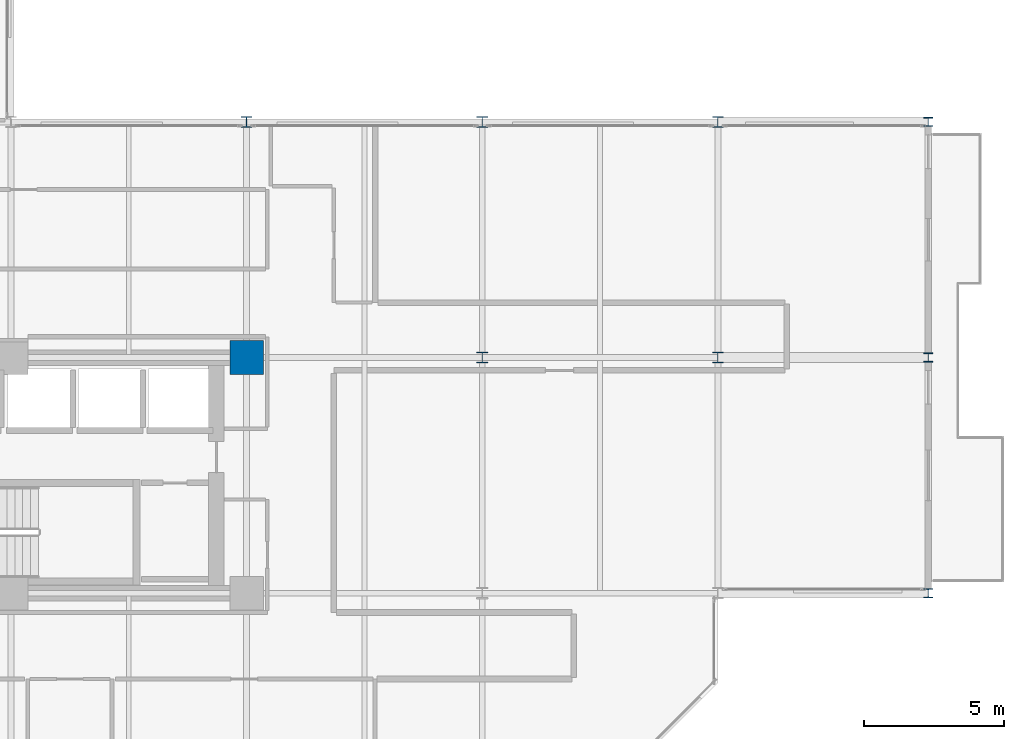
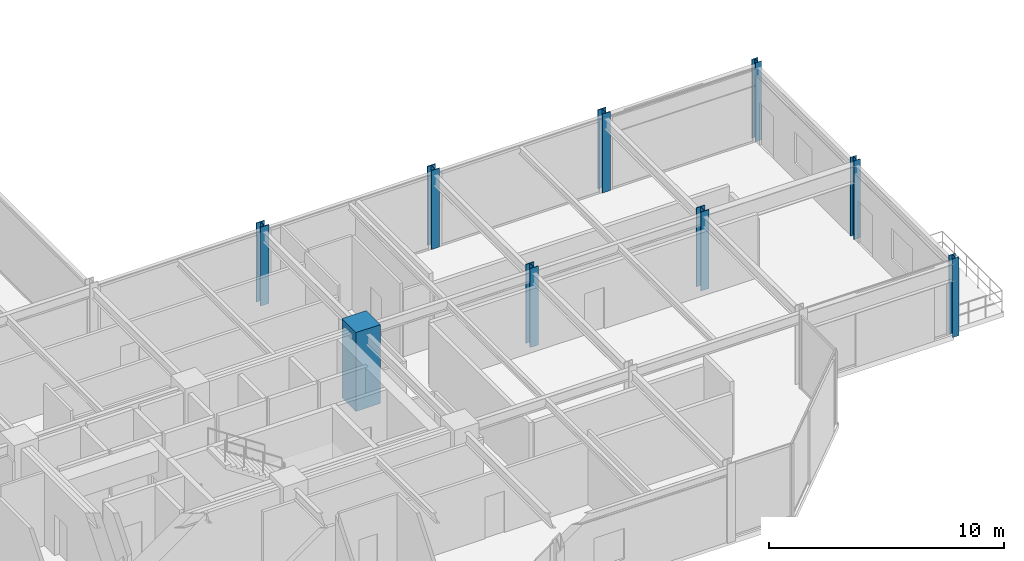
# One storey, part 2 of 38: 9 columns.
"""IFC4 building model written with IfcOpenShell, lengths in metres."""

from ifc_helpers import new_model, si_unit, direction, frame, origin, origin_2d, place, context, subcontext, project, spatial, rectangle, i_section, extrude, material, material_profile, profile_set, type_object, element, save


model = new_model("IFC4")

# Units and contexts
model_context = context("Model", 3, precision=1e-05, world=origin(), true_north=direction((0.0, 1.0)))
body_context = subcontext(model_context, "Body", "Model", "MODEL_VIEW")
ifc_project = project(units=[si_unit("LENGTHUNIT", "METRE"), si_unit("AREAUNIT", "SQUARE_METRE"), si_unit("VOLUMEUNIT", "CUBIC_METRE"), si_unit("PLANEANGLEUNIT", "RADIAN"), si_unit("MASSUNIT", "GRAM", prefix="KILO")], contexts=[model_context])

# Site, building, storey
site_placement = place(None, origin())
site = spatial("IfcSite", under=ifc_project, at=site_placement, CompositionType="ELEMENT")
building_placement = place(site_placement, origin())
building = spatial("IfcBuilding", under=site, at=building_placement, Name="Nerrivon Quay Data Exchange", CompositionType="ELEMENT")
storey_placement = place(building_placement, frame((0.0, 0.0, 88.5)))
storey = spatial("IfcBuildingStorey", under=building, at=storey_placement, Name="L20", CompositionType="ELEMENT", Elevation=88.5)

# Columns
ifc_material_1 = material(Name="Concrete S65 (65 MPa)", Category="concrete")
ifc_material_profile_1 = material_profile(ifc_material_1, rectangle(XDim=1.199951171875, YDim=1.199951171875, at=origin_2d()), Name="RC-COL-1200x1200")
ifc_profile_set_1 = profile_set([ifc_material_profile_1], Name="Concrete S65 (65 MPa)")
column_type_1 = type_object("IfcColumnType", Name="COL-C3-1200", PredefinedType="COLUMN", material=ifc_profile_set_1)
column_placement = place(storey_placement, frame((33.60009765625, 16.800048828125, 0.0), z_axis=(0.0, 0.0, 1.0), x_axis=(1.0, 0.0, 0.0)))
element("IfcColumn", 1, at=column_placement, inside=storey, type_object=column_type_1, Name="L20 Column (33.6,16.8)", PredefinedType="COLUMN", context=body_context, shape_type="SweptSolid", body=[
    extrude(rectangle(XDim=1.199951171875, YDim=1.199951171875, at=origin_2d()), origin(), (0.0, 0.0, 1.0), 4.10009765625),
])
ifc_material_2 = material(Name="Steel Grade 350", Category="steel")
ifc_material_profile_2 = material_profile(ifc_material_2, i_section(OverallWidth=0.39990234375, OverallDepth=0.39990234375, WebThickness=0.02490234375, FlangeThickness=0.0400390625, at=origin_2d()), Name="400WC328")
ifc_profile_set_2 = profile_set([ifc_material_profile_2], Name="Steel Grade 350")
column_type_2 = type_object("IfcColumnType", Name="COL-SC2-400WC", PredefinedType="COLUMN", material=ifc_profile_set_2)
for number, where, z_axis, x_axis, name in (
    (2, (33.60009765625, 25.199951171875, 0.0), (0.0, 0.0, 1.0), (1.0, 0.0, 0.0), "L20 Column (33.6,25.2)"),
    (3, (42.0, 16.800048828125, 0.0), (0.0, 0.0, 1.0), (1.0, 0.0, 0.0), "L20 Column (42.0,16.8)"),
    (4, (42.0, 25.199951171875, 0.0), (0.0, 0.0, 1.0), (1.0, 0.0, 0.0), "L20 Column (42.0,25.2)"),
    (5, (50.39990234375, 16.800048828125, 0.0), (0.0, 0.0, 1.0), (1.0, 0.0, 0.0), "L20 Column (50.4,16.8)"),
    (6, (50.39990234375, 25.199951171875, 0.0), (0.0, 0.0, 1.0), (1.0, 0.0, 0.0), "L20 Column (50.4,25.2)"),
):
    element("IfcColumn", number, at=place(storey_placement, frame(where, z_axis=z_axis, x_axis=x_axis)), inside=storey, type_object=column_type_2, Name=name, PredefinedType="COLUMN", context=body_context, shape_type="SweptSolid", body=[
        extrude(i_section(OverallWidth=0.39990234375, OverallDepth=0.39990234375, WebThickness=0.02490234375, FlangeThickness=0.0400390625, at=origin_2d()), origin(), (0.0, 0.0, 1.0), 4.10009765625),
    ])
ifc_material_profile_3 = material_profile(ifc_material_2, i_section(OverallWidth=0.31103515625, OverallDepth=0.326904296875, WebThickness=0.015625, FlangeThickness=0.02490234375, FilletRadius=0.0166015625, at=origin_2d()), Name="310UC158")
ifc_profile_set_3 = profile_set([ifc_material_profile_3], Name="Steel Grade 350")
column_type_3 = type_object("IfcColumnType", Name="COL-SC4-310UC158", PredefinedType="COLUMN", material=ifc_profile_set_3)
for number, where, z_axis, x_axis, name in (
    (7, (57.89990234375, 8.39990234375, 0.0), (0.0, 0.0, 1.0), (1.0, 0.0, 0.0), "L20 East Hooked Post (57.9,8.4)"),
    (8, (57.89990234375, 16.800048828125, 0.0), (0.0, 0.0, 1.0), (1.0, 0.0, 0.0), "L20 East Hooked Post (57.9,16.8)"),
    (9, (57.89990234375, 25.199951171875, 0.0), (0.0, 0.0, 1.0), (1.0, 0.0, 0.0), "L20 East Hooked Post (57.9,25.2)"),
):
    element("IfcColumn", number, at=place(storey_placement, frame(where, z_axis=z_axis, x_axis=x_axis)), inside=storey, type_object=column_type_3, Name=name, PredefinedType="COLUMN", context=body_context, shape_type="SweptSolid", body=[
        extrude(i_section(OverallWidth=0.31103515625, OverallDepth=0.326904296875, WebThickness=0.015625, FlangeThickness=0.02490234375, FilletRadius=0.0166015625, at=origin_2d()), origin(), (0.0, 0.0, 1.0), 4.10009765625),
    ])

save(model, "model.ifc")
